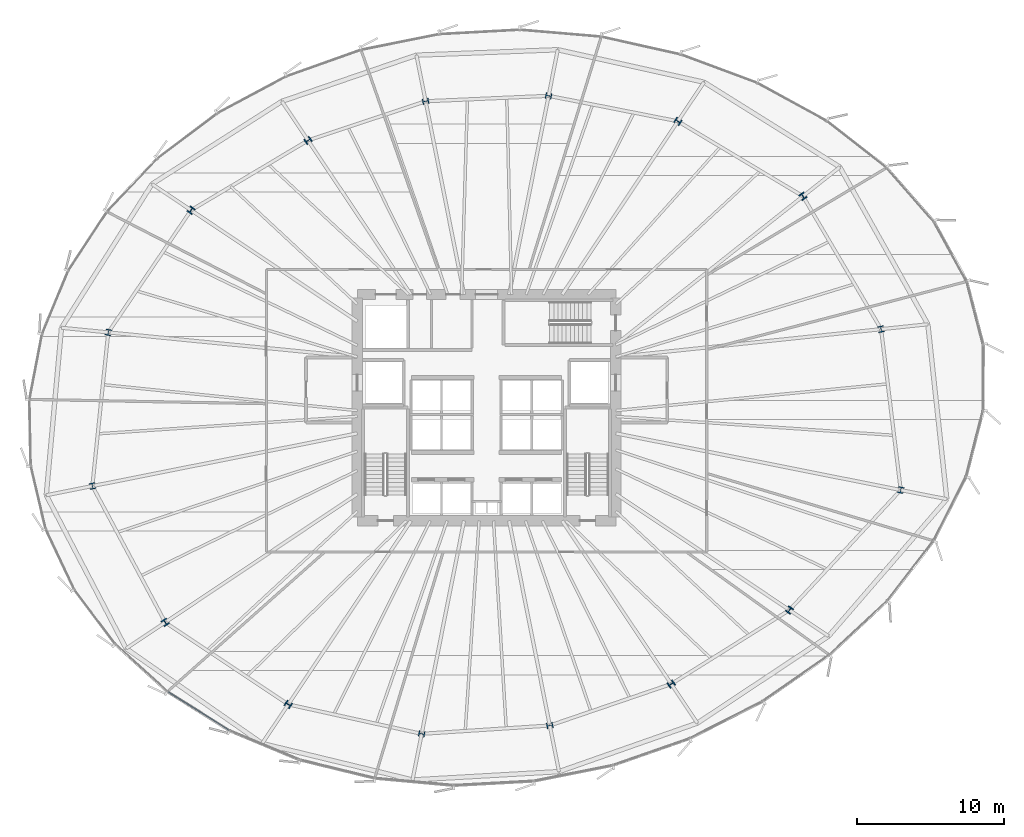
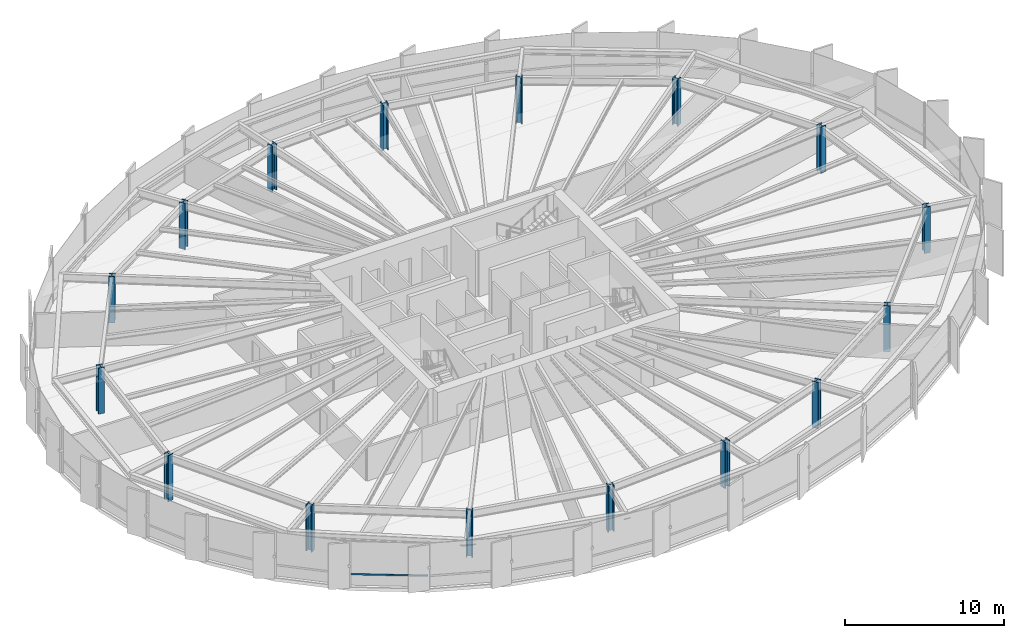
# One storey, part 1 of 37: 16 columns, 1 member, 1 element without a shape of its own.
"""IFC4 building model written with IfcOpenShell, lengths in metres."""

from ifc_helpers import new_model, si_unit, direction, frame, origin, origin_2d, place, context, subcontext, project, spatial, hollow_rectangle, i_section, extrude, source, transform, mapped, material, layer, layer_set, material_profile, profile_set, type_object, element, aggregate, save


model = new_model("IFC4")

# Units and contexts
model_context = context("Model", 3, precision=1e-05, world=origin(), true_north=direction((0.0, 1.0)))
body_context = subcontext(model_context, "Body", "Model", "MODEL_VIEW")
ifc_project = project(units=[si_unit("LENGTHUNIT", "METRE"), si_unit("AREAUNIT", "SQUARE_METRE"), si_unit("VOLUMEUNIT", "CUBIC_METRE"), si_unit("PLANEANGLEUNIT", "RADIAN"), si_unit("MASSUNIT", "GRAM", prefix="KILO"), si_unit("THERMODYNAMICTEMPERATUREUNIT", "KELVIN")], contexts=[model_context])

# Site, building, storey
site_placement = place(None, origin())
site = spatial("IfcSite", under=ifc_project, at=site_placement, CompositionType="ELEMENT")
building_placement = place(site_placement, origin())
building = spatial("IfcBuilding", under=site, at=building_placement, Name="Kethvar Cultural Tower", CompositionType="ELEMENT")
storey_placement = place(building_placement, frame((0.0, 0.0, 60.0)))
storey = spatial("IfcBuildingStorey", under=building, at=storey_placement, Name="L14", CompositionType="ELEMENT", Elevation=60.0)

# Columns
ifc_material_1 = material(Name="Steel S460M", Category="steel")
ifc_material_profile_1 = material_profile(ifc_material_1, i_section(OverallWidth=0.412109375, OverallDepth=0.430908203125, WebThickness=0.0419921875, FlangeThickness=0.068115234375, FilletRadius=0.014892578125, at=origin_2d()), Name="Steel S460M — HD400x900")
ifc_profile_set_1 = profile_set([ifc_material_profile_1], Name="Steel S460M — HD400x900")
column_type = type_object("IfcColumnType", Name="COL-HD900", PredefinedType="COLUMN", material=ifc_profile_set_1)
shared_shape_1 = source(origin(), body_context, "Body", "SweptSolid", [
    extrude(i_section(OverallWidth=0.412109375, OverallDepth=0.430908203125, WebThickness=0.0419921875, FlangeThickness=0.068115234375, FilletRadius=0.014892578125, at=origin_2d()), origin(), (0.0, 0.0, 1.0), 3.550048828125),
])
for number, where, z_axis, x_axis, name in (
    (1, (73.65673828125, 33.14208984375, 0.0), (0.0, 0.0, 1.0), (0.980785280403, 0.195090322016, 0.0), "L14 Mega-Column MC-01"),
    (2, (68.33642578125, 42.190185546875, 0.0), (0.0, 0.0, 1.0), (0.831469612303, 0.55557023302, 0.0), "L14 Mega-Column MC-02"),
    (3, (59.824951171875, 47.293212890625, 0.0), (0.0, 0.0, 1.0), (0.55557023302, 0.831469612303, 0.0), "L14 Mega-Column MC-03"),
    (4, (51.022216796875, 49.02587890625, 0.0), (0.0, 0.0, 1.0), (0.195090322016, 0.980785280403, 0.0), "L14 Mega-Column MC-04"),
    (5, (42.651611328125, 48.65576171875, 0.0), (0.0, 0.0, 1.0), (-0.195090322016, 0.980785280403, 0.0), "L14 Mega-Column MC-05"),
    (6, (34.64599609375, 45.98974609375, 0.0), (0.0, 0.0, 1.0), (-0.55557023302, 0.831469612303, 0.0), "L14 Mega-Column MC-06"),
    (7, (26.6845703125, 41.24072265625, 0.0), (0.0, 0.0, 1.0), (-0.831469612303, 0.55557023302, 0.0), "L14 Mega-Column MC-07"),
    (8, (21.047119140625, 32.922607421875, 0.0), (0.0, 0.0, 1.0), (-0.980785280403, 0.195090322016, 0.0), "L14 Mega-Column MC-08"),
    (9, (19.9658203125, 22.46240234375, 0.0), (0.0, 0.0, 1.0), (-0.980785280403, -0.195090322016, 0.0), "L14 Mega-Column MC-09"),
    (10, (24.9248046875, 13.183349609375, 0.0), (0.0, 0.0, 1.0), (-0.831469612303, -0.55557023302, 0.0), "L14 Mega-Column MC-10"),
    (11, (33.302001953125, 7.598876953125, 0.0), (0.0, 0.0, 1.0), (-0.55557023302, -0.831469612303, 0.0), "L14 Mega-Column MC-11"),
    (12, (42.38330078125, 5.59619140625, 0.0), (0.0, 0.0, 1.0), (-0.195090322016, -0.980785280403, 0.0), "L14 Mega-Column MC-12"),
    (13, (51.10400390625, 6.16259765625, 0.0), (0.0, 0.0, 1.0), (0.195090322016, -0.980785280403, 0.0), "L14 Mega-Column MC-13"),
    (14, (59.370361328125, 8.987060546875, 0.0), (0.0, 0.0, 1.0), (0.55557023302, -0.831469612303, 0.0), "L14 Mega-Column MC-14"),
    (15, (67.41845703125, 14.023193359375, 0.0), (0.0, 0.0, 1.0), (0.831469612303, -0.55557023302, 0.0), "L14 Mega-Column MC-15"),
    (16, (74.9912109375, 22.1923828125, 0.0), (0.0, 0.0, 1.0), (0.980785280403, -0.195090322016, 0.0), "L14 Mega-Column MC-16"),
):
    element("IfcColumn", number, at=place(storey_placement, frame(where, z_axis=z_axis, x_axis=x_axis)), inside=storey, type_object=column_type, Name=name, PredefinedType="COLUMN", context=body_context, shape_type="MappedRepresentation", body=[
        mapped(shared_shape_1, transform((0.0, 0.0, 0.0), scale=1.0)),
    ])

# Curtain wall, member
ifc_material_2 = material(Name="Aluminium 6063-T6", Category="aluminium")
ifc_layer = layer(ifc_material_2, 0.179931640625, Name="Aluminium 6063-T6", Category="aluminium")
ifc_layer_set = layer_set([ifc_layer], Name="Aluminium 6063-T6 (180 mm)")
curtain_wall_type = type_object("IfcCurtainWallType", Name="CW-SYS-02-Z1", PredefinedType="NOTDEFINED", material=ifc_layer_set)
curtain_wall_placement = place(storey_placement, origin())
curtain_wall = element("IfcCurtainWall", 17, at=curtain_wall_placement, inside=storey, type_object=curtain_wall_type, Name="L14 Curtain Wall Run 04", PredefinedType="NOTDEFINED")
ifc_material_profile_2 = material_profile(ifc_material_2, hollow_rectangle(XDim=0.054931640625, YDim=0.1201171875, WallThickness=0.00390625, at=origin_2d()), Name="Aluminium 6063-T6 — RHS120x55x4")
ifc_profile_set_2 = profile_set([ifc_material_profile_2], Name="Aluminium 6063-T6 — RHS120x55x4")
member_type = type_object("IfcMemberType", Name="CW-SYS-02-Z1-TRN", PredefinedType="USERDEFINED", material=ifc_profile_set_2)
shared_shape_2 = source(origin(), body_context, "Body", "SweptSolid", [
    extrude(hollow_rectangle(XDim=0.054931640625, YDim=0.1201171875, WallThickness=0.00390625, at=origin_2d()), origin(), (0.0, 0.0, 1.0), 4.90869140625),
])
member_placement = place(storey_placement, frame((25.12255859375, 8.454833984375, 0.949951171875), z_axis=(0.846721693604, -0.532036064173, 0.0), x_axis=(0.532036064173, 0.846721693604, 0.0)))
member = element("IfcMember", 18, at=member_placement, type_object=member_type, Name="CW-L14-R04 Transom 5", ObjectType="TRANSOM", PredefinedType="USERDEFINED", context=body_context, shape_type="MappedRepresentation", body=[
    mapped(shared_shape_2, transform((0.0, 0.0, 0.0), scale=1.0)),
])
aggregate(curtain_wall, [member])

save(model, "model.ifc")
